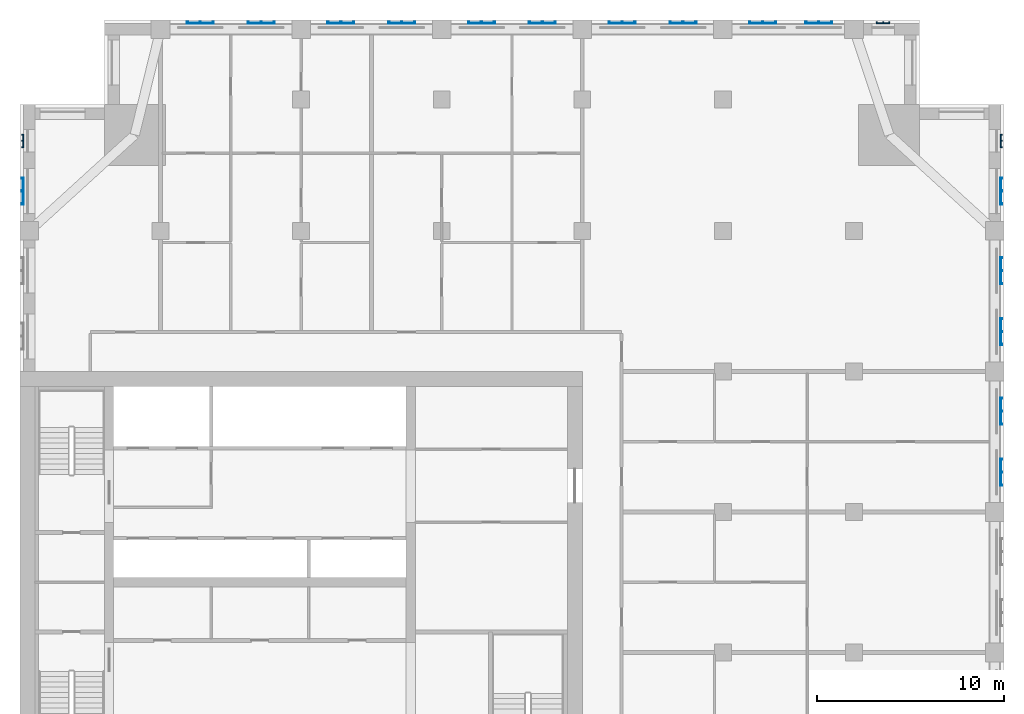
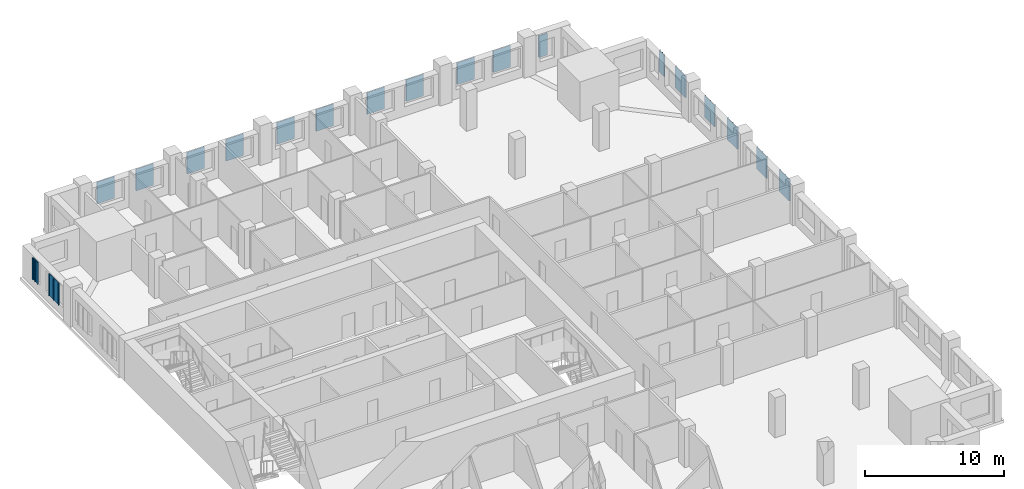
# One storey, part 5 of 14: 19 plates.
"""IFC4 building model written with IfcOpenShell, lengths in metres."""

from ifc_helpers import new_model, si_unit, direction, frame, origin, place, context, subcontext, project, spatial, polyline, outline, extrude, material, layer, layer_set, type_object, element, save


model = new_model("IFC4")

# Units and contexts
model_context = context("Model", 3, precision=1e-05, world=origin(), true_north=direction((0.0, 1.0)))
body_context = subcontext(model_context, "Body", "Model", "MODEL_VIEW")
ifc_project = project(units=[si_unit("LENGTHUNIT", "METRE"), si_unit("AREAUNIT", "SQUARE_METRE"), si_unit("VOLUMEUNIT", "CUBIC_METRE"), si_unit("PLANEANGLEUNIT", "RADIAN"), si_unit("MASSUNIT", "GRAM", prefix="KILO")], contexts=[model_context])

# Site, building, storey
site_placement = place(None, origin())
site = spatial("IfcSite", under=ifc_project, at=site_placement, CompositionType="ELEMENT")
building_placement = place(site_placement, origin())
building = spatial("IfcBuilding", under=site, at=building_placement, Name="Tamorin Gate", CompositionType="ELEMENT")
storey_placement = place(building_placement, frame((0.0, 0.0, 182.699951171875)))
storey = spatial("IfcBuildingStorey", under=building, at=storey_placement, Name="L44", CompositionType="ELEMENT", Elevation=182.699951171875)

# Plates
ifc_material = material(Name="Perforated pale aluminium sheet", Category="aluminium")
ifc_layer_1 = layer(ifc_material, 0.0400390625)
ifc_layer_set_1 = layer_set([ifc_layer_1], Name="Pale metal solar screen 1440")
plate_type_1 = type_object("IfcPlateType", Name="Pale metal solar screen 1440", PredefinedType="SHEET", material=ifc_layer_set_1)
plate_1_placement = place(storey_placement, frame((0.0, 0.0, 0.737548828125)))
element("IfcPlate", 1, at=plate_1_placement, inside=storey, type_object=plate_type_1, Name="Perforated solar screen", PredefinedType="SHEET", context=body_context, shape_type="SweptSolid", body=[
    extrude(outline(polyline([(82.340087890625, 76.405029296875), (82.300048828125, 76.405029296875), (82.300048828125, 76.465087890625), (82.300048828125, 77.094970703125), (82.300048828125, 77.155029296875), (82.300048828125, 77.784912109375), (82.300048828125, 77.844970703125), (82.340087890625, 77.844970703125), (82.39990234375, 77.844970703125), (82.39990234375, 77.784912109375), (82.340087890625, 77.784912109375), (82.340087890625, 77.155029296875), (82.39990234375, 77.155029296875), (82.39990234375, 77.094970703125), (82.340087890625, 77.094970703125), (82.340087890625, 76.465087890625), (82.39990234375, 76.465087890625), (82.39990234375, 76.405029296875), (82.340087890625, 76.405029296875)])), origin(), (0.0, 0.0, 1.0), 1.925048828125),
])
plate_2_placement = place(storey_placement, frame((0.0, 0.0, 0.737548828125)))
element("IfcPlate", 2, at=plate_2_placement, inside=storey, type_object=plate_type_1, Name="Perforated solar screen", PredefinedType="SHEET", context=body_context, shape_type="SweptSolid", body=[
    extrude(outline(polyline([(82.340087890625, 79.655029296875), (82.300048828125, 79.655029296875), (82.300048828125, 79.715087890625), (82.300048828125, 80.344970703125), (82.300048828125, 80.405029296875), (82.300048828125, 81.034912109375), (82.300048828125, 81.094970703125), (82.340087890625, 81.094970703125), (82.39990234375, 81.094970703125), (82.39990234375, 81.034912109375), (82.340087890625, 81.034912109375), (82.340087890625, 80.405029296875), (82.39990234375, 80.405029296875), (82.39990234375, 80.344970703125), (82.340087890625, 80.344970703125), (82.340087890625, 79.715087890625), (82.39990234375, 79.715087890625), (82.39990234375, 79.655029296875), (82.340087890625, 79.655029296875)])), origin(), (0.0, 0.0, 1.0), 1.925048828125),
])
plate_3_placement = place(storey_placement, frame((0.0, 0.0, 0.737548828125)))
element("IfcPlate", 3, at=plate_3_placement, inside=storey, type_object=plate_type_1, Name="Perforated solar screen", PredefinedType="SHEET", context=body_context, shape_type="SweptSolid", body=[
    extrude(outline(polyline([(82.340087890625, 83.905029296875), (82.300048828125, 83.905029296875), (82.300048828125, 83.965087890625), (82.300048828125, 84.594970703125), (82.300048828125, 84.655029296875), (82.300048828125, 85.284912109375), (82.300048828125, 85.344970703125), (82.340087890625, 85.344970703125), (82.39990234375, 85.344970703125), (82.39990234375, 85.284912109375), (82.340087890625, 85.284912109375), (82.340087890625, 84.655029296875), (82.39990234375, 84.655029296875), (82.39990234375, 84.594970703125), (82.340087890625, 84.594970703125), (82.340087890625, 83.965087890625), (82.39990234375, 83.965087890625), (82.39990234375, 83.905029296875), (82.340087890625, 83.905029296875)])), origin(), (0.0, 0.0, 1.0), 1.925048828125),
])
plate_4_placement = place(storey_placement, frame((0.0, 0.0, 0.737548828125)))
element("IfcPlate", 4, at=plate_4_placement, inside=storey, type_object=plate_type_1, Name="Perforated solar screen", PredefinedType="SHEET", context=body_context, shape_type="SweptSolid", body=[
    extrude(outline(polyline([(82.340087890625, 87.155029296875), (82.300048828125, 87.155029296875), (82.300048828125, 87.215087890625), (82.300048828125, 87.844970703125), (82.300048828125, 87.905029296875), (82.300048828125, 88.534912109375), (82.300048828125, 88.594970703125), (82.340087890625, 88.594970703125), (82.39990234375, 88.594970703125), (82.39990234375, 88.534912109375), (82.340087890625, 88.534912109375), (82.340087890625, 87.905029296875), (82.39990234375, 87.905029296875), (82.39990234375, 87.844970703125), (82.340087890625, 87.844970703125), (82.340087890625, 87.215087890625), (82.39990234375, 87.215087890625), (82.39990234375, 87.155029296875), (82.340087890625, 87.155029296875)])), origin(), (0.0, 0.0, 1.0), 1.925048828125),
])
plate_5_placement = place(storey_placement, frame((0.0, 0.0, 0.737548828125)))
element("IfcPlate", 5, at=plate_5_placement, inside=storey, type_object=plate_type_1, Name="Perforated solar screen", PredefinedType="SHEET", context=body_context, shape_type="SweptSolid", body=[
    extrude(outline(polyline([(82.340087890625, 91.405029296875), (82.300048828125, 91.405029296875), (82.300048828125, 91.465087890625), (82.300048828125, 92.094970703125), (82.300048828125, 92.155029296875), (82.300048828125, 92.784912109375), (82.300048828125, 92.844970703125), (82.340087890625, 92.844970703125), (82.39990234375, 92.844970703125), (82.39990234375, 92.784912109375), (82.340087890625, 92.784912109375), (82.340087890625, 92.155029296875), (82.39990234375, 92.155029296875), (82.39990234375, 92.094970703125), (82.340087890625, 92.094970703125), (82.340087890625, 91.465087890625), (82.39990234375, 91.465087890625), (82.39990234375, 91.405029296875), (82.340087890625, 91.405029296875)])), origin(), (0.0, 0.0, 1.0), 1.925048828125),
])
plate_6_placement = place(storey_placement, frame((0.0, 0.0, 0.737548828125)))
element("IfcPlate", 6, at=plate_6_placement, inside=storey, type_object=plate_type_1, Name="Perforated solar screen", PredefinedType="SHEET", context=body_context, shape_type="SweptSolid", body=[
    extrude(outline(polyline([(70.344970703125, 101.090087890625), (70.344970703125, 101.050048828125), (70.284912109375, 101.050048828125), (69.655029296875, 101.050048828125), (69.594970703125, 101.050048828125), (68.965087890625, 101.050048828125), (68.905029296875, 101.050048828125), (68.905029296875, 101.090087890625), (68.905029296875, 101.14990234375), (68.965087890625, 101.14990234375), (68.965087890625, 101.090087890625), (69.594970703125, 101.090087890625), (69.594970703125, 101.14990234375), (69.655029296875, 101.14990234375), (69.655029296875, 101.090087890625), (70.284912109375, 101.090087890625), (70.284912109375, 101.14990234375), (70.344970703125, 101.14990234375), (70.344970703125, 101.090087890625)])), origin(), (0.0, 0.0, 1.0), 1.925048828125),
])
plate_7_placement = place(storey_placement, frame((0.0, 0.0, 0.737548828125)))
element("IfcPlate", 7, at=plate_7_placement, inside=storey, type_object=plate_type_1, Name="Perforated solar screen", PredefinedType="SHEET", context=body_context, shape_type="SweptSolid", body=[
    extrude(outline(polyline([(73.344970703125, 101.090087890625), (73.344970703125, 101.050048828125), (73.284912109375, 101.050048828125), (72.655029296875, 101.050048828125), (72.594970703125, 101.050048828125), (71.965087890625, 101.050048828125), (71.905029296875, 101.050048828125), (71.905029296875, 101.050048828125), (71.905029296875, 101.090087890625), (71.905029296875, 101.090087890625), (71.905029296875, 101.14990234375), (71.965087890625, 101.14990234375), (71.965087890625, 101.090087890625), (72.594970703125, 101.090087890625), (72.594970703125, 101.14990234375), (72.655029296875, 101.14990234375), (72.655029296875, 101.090087890625), (73.284912109375, 101.090087890625), (73.284912109375, 101.14990234375), (73.344970703125, 101.14990234375), (73.344970703125, 101.090087890625)])), origin(), (0.0, 0.0, 1.0), 1.925048828125),
])
plate_8_placement = place(storey_placement, frame((0.0, 0.0, 0.737548828125)))
element("IfcPlate", 8, at=plate_8_placement, inside=storey, type_object=plate_type_1, Name="Perforated solar screen", PredefinedType="SHEET", context=body_context, shape_type="SweptSolid", body=[
    extrude(outline(polyline([(62.844970703125, 101.090087890625), (62.844970703125, 101.050048828125), (62.784912109375, 101.050048828125), (62.155029296875, 101.050048828125), (62.094970703125, 101.050048828125), (61.465087890625, 101.050048828125), (61.405029296875, 101.050048828125), (61.405029296875, 101.090087890625), (61.405029296875, 101.14990234375), (61.465087890625, 101.14990234375), (61.465087890625, 101.090087890625), (62.094970703125, 101.090087890625), (62.094970703125, 101.14990234375), (62.155029296875, 101.14990234375), (62.155029296875, 101.090087890625), (62.784912109375, 101.090087890625), (62.784912109375, 101.14990234375), (62.844970703125, 101.14990234375), (62.844970703125, 101.090087890625)])), origin(), (0.0, 0.0, 1.0), 1.925048828125),
])
plate_9_placement = place(storey_placement, frame((0.0, 0.0, 0.737548828125)))
element("IfcPlate", 9, at=plate_9_placement, inside=storey, type_object=plate_type_1, Name="Perforated solar screen", PredefinedType="SHEET", context=body_context, shape_type="SweptSolid", body=[
    extrude(outline(polyline([(66.094970703125, 101.090087890625), (66.094970703125, 101.050048828125), (66.034912109375, 101.050048828125), (65.405029296875, 101.050048828125), (65.344970703125, 101.050048828125), (64.715087890625, 101.050048828125), (64.655029296875, 101.050048828125), (64.655029296875, 101.090087890625), (64.655029296875, 101.14990234375), (64.715087890625, 101.14990234375), (64.715087890625, 101.090087890625), (65.344970703125, 101.090087890625), (65.344970703125, 101.14990234375), (65.405029296875, 101.14990234375), (65.405029296875, 101.090087890625), (66.034912109375, 101.090087890625), (66.034912109375, 101.14990234375), (66.094970703125, 101.14990234375), (66.094970703125, 101.090087890625)])), origin(), (0.0, 0.0, 1.0), 1.925048828125),
])
plate_10_placement = place(storey_placement, frame((0.0, 0.0, 0.737548828125)))
element("IfcPlate", 10, at=plate_10_placement, inside=storey, type_object=plate_type_1, Name="Perforated solar screen", PredefinedType="SHEET", context=body_context, shape_type="SweptSolid", body=[
    extrude(outline(polyline([(55.344970703125, 101.090087890625), (55.344970703125, 101.050048828125), (55.284912109375, 101.050048828125), (54.655029296875, 101.050048828125), (54.594970703125, 101.050048828125), (53.965087890625, 101.050048828125), (53.905029296875, 101.050048828125), (53.905029296875, 101.090087890625), (53.905029296875, 101.14990234375), (53.965087890625, 101.14990234375), (53.965087890625, 101.090087890625), (54.594970703125, 101.090087890625), (54.594970703125, 101.14990234375), (54.655029296875, 101.14990234375), (54.655029296875, 101.090087890625), (55.284912109375, 101.090087890625), (55.284912109375, 101.14990234375), (55.344970703125, 101.14990234375), (55.344970703125, 101.090087890625)])), origin(), (0.0, 0.0, 1.0), 1.925048828125),
])
plate_11_placement = place(storey_placement, frame((0.0, 0.0, 0.737548828125)))
element("IfcPlate", 11, at=plate_11_placement, inside=storey, type_object=plate_type_1, Name="Perforated solar screen", PredefinedType="SHEET", context=body_context, shape_type="SweptSolid", body=[
    extrude(outline(polyline([(58.594970703125, 101.090087890625), (58.594970703125, 101.050048828125), (58.534912109375, 101.050048828125), (57.905029296875, 101.050048828125), (57.844970703125, 101.050048828125), (57.215087890625, 101.050048828125), (57.155029296875, 101.050048828125), (57.155029296875, 101.090087890625), (57.155029296875, 101.14990234375), (57.215087890625, 101.14990234375), (57.215087890625, 101.090087890625), (57.844970703125, 101.090087890625), (57.844970703125, 101.14990234375), (57.905029296875, 101.14990234375), (57.905029296875, 101.090087890625), (58.534912109375, 101.090087890625), (58.534912109375, 101.14990234375), (58.594970703125, 101.14990234375), (58.594970703125, 101.090087890625)])), origin(), (0.0, 0.0, 1.0), 1.925048828125),
])
plate_12_placement = place(storey_placement, frame((0.0, 0.0, 0.737548828125)))
element("IfcPlate", 12, at=plate_12_placement, inside=storey, type_object=plate_type_1, Name="Perforated solar screen", PredefinedType="SHEET", context=body_context, shape_type="SweptSolid", body=[
    extrude(outline(polyline([(47.844970703125, 101.090087890625), (47.844970703125, 101.050048828125), (47.784912109375, 101.050048828125), (47.155029296875, 101.050048828125), (47.094970703125, 101.050048828125), (46.465087890625, 101.050048828125), (46.405029296875, 101.050048828125), (46.405029296875, 101.090087890625), (46.405029296875, 101.14990234375), (46.465087890625, 101.14990234375), (46.465087890625, 101.090087890625), (47.094970703125, 101.090087890625), (47.094970703125, 101.14990234375), (47.155029296875, 101.14990234375), (47.155029296875, 101.090087890625), (47.784912109375, 101.090087890625), (47.784912109375, 101.14990234375), (47.844970703125, 101.14990234375), (47.844970703125, 101.090087890625)])), origin(), (0.0, 0.0, 1.0), 1.925048828125),
])
plate_13_placement = place(storey_placement, frame((0.0, 0.0, 0.737548828125)))
element("IfcPlate", 13, at=plate_13_placement, inside=storey, type_object=plate_type_1, Name="Perforated solar screen", PredefinedType="SHEET", context=body_context, shape_type="SweptSolid", body=[
    extrude(outline(polyline([(51.094970703125, 101.090087890625), (51.094970703125, 101.050048828125), (51.034912109375, 101.050048828125), (50.405029296875, 101.050048828125), (50.344970703125, 101.050048828125), (49.715087890625, 101.050048828125), (49.655029296875, 101.050048828125), (49.655029296875, 101.090087890625), (49.655029296875, 101.14990234375), (49.715087890625, 101.14990234375), (49.715087890625, 101.090087890625), (50.344970703125, 101.090087890625), (50.344970703125, 101.14990234375), (50.405029296875, 101.14990234375), (50.405029296875, 101.090087890625), (51.034912109375, 101.090087890625), (51.034912109375, 101.14990234375), (51.094970703125, 101.14990234375), (51.094970703125, 101.090087890625)])), origin(), (0.0, 0.0, 1.0), 1.925048828125),
])
plate_14_placement = place(storey_placement, frame((0.0, 0.0, 0.737548828125)))
element("IfcPlate", 14, at=plate_14_placement, inside=storey, type_object=plate_type_1, Name="Perforated solar screen", PredefinedType="SHEET", context=body_context, shape_type="SweptSolid", body=[
    extrude(outline(polyline([(40.344970703125, 101.090087890625), (40.344970703125, 101.050048828125), (40.284912109375, 101.050048828125), (39.655029296875, 101.050048828125), (39.594970703125, 101.050048828125), (38.965087890625, 101.050048828125), (38.905029296875, 101.050048828125), (38.905029296875, 101.090087890625), (38.905029296875, 101.14990234375), (38.965087890625, 101.14990234375), (38.965087890625, 101.090087890625), (39.594970703125, 101.090087890625), (39.594970703125, 101.14990234375), (39.655029296875, 101.14990234375), (39.655029296875, 101.090087890625), (40.284912109375, 101.090087890625), (40.284912109375, 101.14990234375), (40.344970703125, 101.14990234375), (40.344970703125, 101.090087890625)])), origin(), (0.0, 0.0, 1.0), 1.925048828125),
])
plate_15_placement = place(storey_placement, frame((0.0, 0.0, 0.737548828125)))
element("IfcPlate", 15, at=plate_15_placement, inside=storey, type_object=plate_type_1, Name="Perforated solar screen", PredefinedType="SHEET", context=body_context, shape_type="SweptSolid", body=[
    extrude(outline(polyline([(43.594970703125, 101.090087890625), (43.594970703125, 101.050048828125), (43.534912109375, 101.050048828125), (42.905029296875, 101.050048828125), (42.844970703125, 101.050048828125), (42.215087890625, 101.050048828125), (42.155029296875, 101.050048828125), (42.155029296875, 101.090087890625), (42.155029296875, 101.14990234375), (42.215087890625, 101.14990234375), (42.215087890625, 101.090087890625), (42.844970703125, 101.090087890625), (42.844970703125, 101.14990234375), (42.905029296875, 101.14990234375), (42.905029296875, 101.090087890625), (43.534912109375, 101.090087890625), (43.534912109375, 101.14990234375), (43.594970703125, 101.14990234375), (43.594970703125, 101.090087890625)])), origin(), (0.0, 0.0, 1.0), 1.925048828125),
])
plate_16_placement = place(storey_placement, frame((0.0, 0.0, 0.737548828125)))
element("IfcPlate", 16, at=plate_16_placement, inside=storey, type_object=plate_type_1, Name="Perforated solar screen", PredefinedType="SHEET", context=body_context, shape_type="SweptSolid", body=[
    extrude(outline(polyline([(30.159912109375, 92.844970703125), (30.199951171875, 92.844970703125), (30.199951171875, 92.784912109375), (30.199951171875, 92.155029296875), (30.199951171875, 92.094970703125), (30.199951171875, 91.465087890625), (30.199951171875, 91.405029296875), (30.199951171875, 91.405029296875), (30.159912109375, 91.405029296875), (30.159912109375, 91.405029296875), (30.10009765625, 91.405029296875), (30.10009765625, 91.465087890625), (30.159912109375, 91.465087890625), (30.159912109375, 92.094970703125), (30.10009765625, 92.094970703125), (30.10009765625, 92.155029296875), (30.159912109375, 92.155029296875), (30.159912109375, 92.784912109375), (30.10009765625, 92.784912109375), (30.10009765625, 92.844970703125), (30.159912109375, 92.844970703125)])), origin(), (0.0, 0.0, 1.0), 1.925048828125),
])
ifc_layer_2 = layer(ifc_material, 0.0400390625)
ifc_layer_set_2 = layer_set([ifc_layer_2], Name="Pale metal solar screen 720")
plate_type_2 = type_object("IfcPlateType", Name="Pale metal solar screen 720", PredefinedType="SHEET", material=ifc_layer_set_2)
plate_17_placement = place(storey_placement, frame((0.0, 0.0, 0.737548828125)))
element("IfcPlate", 17, at=plate_17_placement, inside=storey, type_object=plate_type_2, Name="Perforated solar screen", PredefinedType="SHEET", context=body_context, shape_type="SweptSolid", body=[
    extrude(outline(polyline([(82.340087890625, 94.43994140625), (82.300048828125, 94.43994140625), (82.300048828125, 94.5), (82.300048828125, 94.77001953125), (82.300048828125, 94.830078125), (82.300048828125, 95.10009765625), (82.300048828125, 95.159912109375), (82.340087890625, 95.159912109375), (82.39990234375, 95.159912109375), (82.39990234375, 95.10009765625), (82.340087890625, 95.10009765625), (82.340087890625, 94.830078125), (82.39990234375, 94.830078125), (82.39990234375, 94.77001953125), (82.340087890625, 94.77001953125), (82.340087890625, 94.5), (82.39990234375, 94.5), (82.39990234375, 94.43994140625), (82.340087890625, 94.43994140625)])), origin(), (0.0, 0.0, 1.0), 1.925048828125),
])
plate_18_placement = place(storey_placement, frame((0.0, 0.0, 0.737548828125)))
element("IfcPlate", 18, at=plate_18_placement, inside=storey, type_object=plate_type_2, Name="Perforated solar screen", PredefinedType="SHEET", context=body_context, shape_type="SweptSolid", body=[
    extrude(outline(polyline([(76.409912109375, 101.090087890625), (76.409912109375, 101.050048828125), (76.35009765625, 101.050048828125), (76.080078125, 101.050048828125), (76.02001953125, 101.050048828125), (75.75, 101.050048828125), (75.68994140625, 101.050048828125), (75.68994140625, 101.090087890625), (75.68994140625, 101.14990234375), (75.75, 101.14990234375), (75.75, 101.090087890625), (76.02001953125, 101.090087890625), (76.02001953125, 101.14990234375), (76.080078125, 101.14990234375), (76.080078125, 101.090087890625), (76.35009765625, 101.090087890625), (76.35009765625, 101.14990234375), (76.409912109375, 101.14990234375), (76.409912109375, 101.090087890625)])), origin(), (0.0, 0.0, 1.0), 1.925048828125),
])
plate_19_placement = place(storey_placement, frame((0.0, 0.0, 0.737548828125)))
element("IfcPlate", 19, at=plate_19_placement, inside=storey, type_object=plate_type_2, Name="Perforated solar screen", PredefinedType="SHEET", context=body_context, shape_type="SweptSolid", body=[
    extrude(outline(polyline([(30.159912109375, 95.159912109375), (30.199951171875, 95.159912109375), (30.199951171875, 95.10009765625), (30.199951171875, 94.830078125), (30.199951171875, 94.77001953125), (30.199951171875, 94.5), (30.199951171875, 94.43994140625), (30.159912109375, 94.43994140625), (30.10009765625, 94.43994140625), (30.10009765625, 94.5), (30.159912109375, 94.5), (30.159912109375, 94.77001953125), (30.10009765625, 94.77001953125), (30.10009765625, 94.830078125), (30.159912109375, 94.830078125), (30.159912109375, 95.10009765625), (30.10009765625, 95.10009765625), (30.10009765625, 95.159912109375), (30.159912109375, 95.159912109375)])), origin(), (0.0, 0.0, 1.0), 1.925048828125),
])

save(model, "model.ifc")
